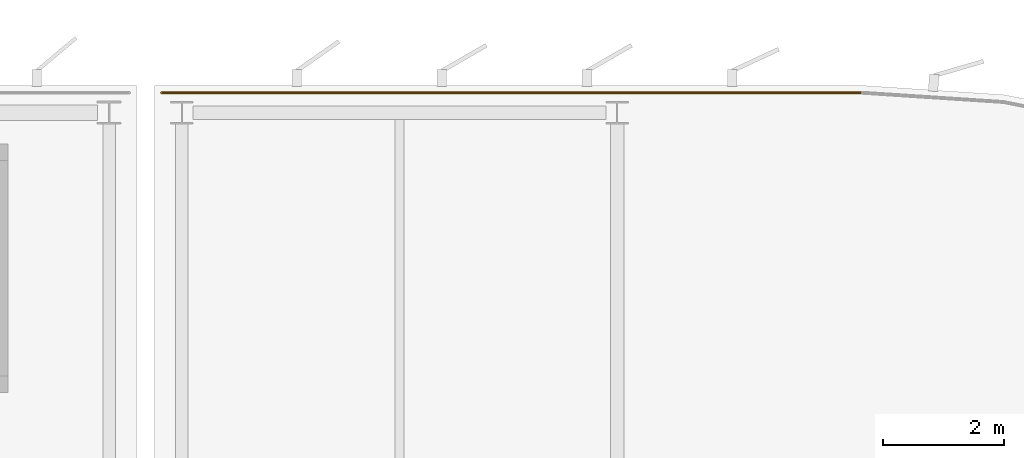
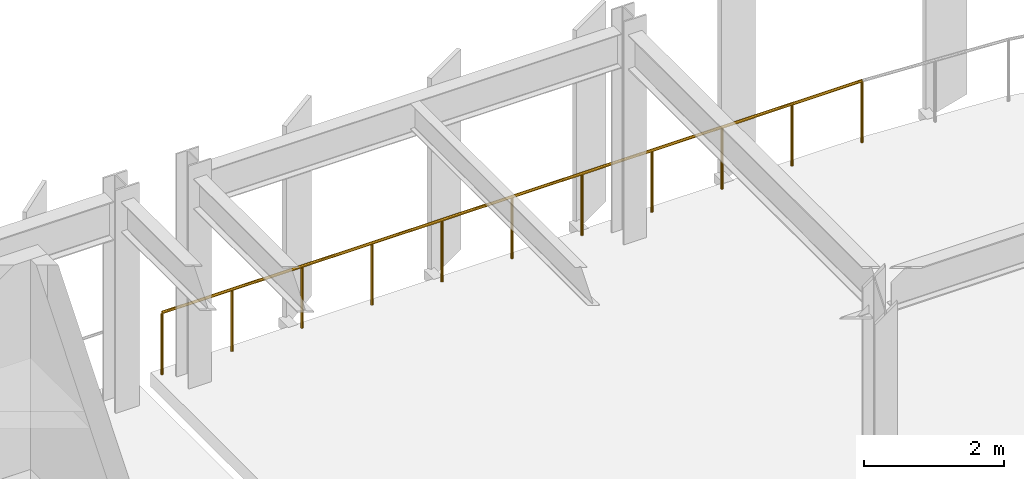
# One storey, part 84 of 93: 1 railing.
"""IFC4 building model written with IfcOpenShell, lengths in metres."""

import ifcopenshell
import ifcopenshell.guid

model = None  # the IFC model being written
_history = None  # IfcOwnerHistory: only IFC2X3 demands one
_inside = {}  # id of a spatial element -> (the spatial element, [elements in it])
_under = {}  # id of a project, library or spatial element -> (it, [spatial elements below it])
_declared = {}  # id of a project -> (the project, [libraries it declares])
_typed = {}  # id of a type object -> (the type object, [elements of that type])
_made_of = {}  # id of a material, layer set ... -> (it, [elements and type objects made of it])


def new_model(schema):
    """Start an empty IFC model of exactly this schema.

    Asked for "IFC4X3", IfcOpenShell would pick the latest addendum, in which some entities
    have other attributes; the version numbers below select the first issue.
    IFC2X3 requires an IfcOwnerHistory on every rooted entity: one is made here for all.
    """
    global model, _history
    if schema == "IFC4X3":
        model = ifcopenshell.file(schema_version=(4, 3, 0, 0))
    else:
        model = ifcopenshell.file(schema=schema)
    _inside.clear()
    _under.clear()
    _declared.clear()
    _typed.clear()
    _made_of.clear()
    _history = None
    if model.schema == "IFC2X3":
        org = make("IfcOrganization", Name="unknown")
        user = make(
            "IfcPersonAndOrganization",
            ThePerson=make("IfcPerson", FamilyName="unknown"),
            TheOrganization=org,
        )
        app = make(
            "IfcApplication",
            ApplicationDeveloper=org,
            Version="unknown",
            ApplicationFullName="unknown",
            ApplicationIdentifier="unknown",
        )
        _history = make(
            "IfcOwnerHistory",
            OwningUser=user,
            OwningApplication=app,
            ChangeAction="ADDED",
            CreationDate=0,
        )
    return model


def make(cls, **values):
    """One entity of the class cls with the attributes given. An attribute that is None is left unset."""
    return model.create_entity(
        cls, **{name: value for name, value in values.items() if value is not None}
    )


def rooted(cls, **values):
    """An entity with a GlobalId (a new one), such as an element, a storey or a relation."""
    return make(cls, GlobalId=ifcopenshell.guid.new(), OwnerHistory=_history, **values)


def si_unit(unit_type, name, prefix=None):
    """IfcSIUnit, for example si_unit("LENGTHUNIT", "METRE", prefix="MILLI")."""
    return make("IfcSIUnit", UnitType=unit_type, Prefix=prefix, Name=name)


def assignment(units):
    """IfcUnitAssignment: the units of a project."""
    return None if units is None else make("IfcUnitAssignment", Units=units)


def point(xyz):
    """IfcCartesianPoint."""
    return None if xyz is None else make("IfcCartesianPoint", Coordinates=xyz)


def direction(xyz):
    """IfcDirection."""
    return None if xyz is None else make("IfcDirection", DirectionRatios=xyz)


def frame(location, z_axis=None, x_axis=None):
    """IfcAxis2Placement3D, a coordinate frame: its origin and axes. An axis left out is left unset."""
    return make(
        "IfcAxis2Placement3D",
        Location=point(location),
        Axis=direction(z_axis),
        RefDirection=direction(x_axis),
    )


def frame_2d(location, x_axis=None):
    """IfcAxis2Placement2D, a coordinate frame in the plane: its origin and x axis."""
    return make(
        "IfcAxis2Placement2D", Location=point(location), RefDirection=direction(x_axis)
    )


def origin():
    """The frame at (0, 0, 0) with its axes left unset."""
    return frame((0.0, 0.0, 0.0))


def origin_2d():
    """The frame at (0, 0) in the plane with its x axis left unset."""
    return frame_2d((0.0, 0.0))


def place(relative_to, where):
    """IfcLocalPlacement: puts the frame where relative to a parent placement (None: the world)."""
    return make(
        "IfcLocalPlacement", PlacementRelTo=relative_to, RelativePlacement=where
    )


def context(
    kind, dimensions, precision=None, world=None, true_north=None, identifier=None
):
    """IfcGeometricRepresentationContext, for example the 3D "Model" context."""
    return make(
        "IfcGeometricRepresentationContext",
        ContextIdentifier=identifier,
        ContextType=kind,
        CoordinateSpaceDimension=dimensions,
        Precision=precision,
        WorldCoordinateSystem=world,
        TrueNorth=true_north,
    )


def subcontext(parent, identifier, kind, view, scale=None):
    """IfcGeometricRepresentationSubContext, for example "Body" below "Model"."""
    return make(
        "IfcGeometricRepresentationSubContext",
        ContextIdentifier=identifier,
        ContextType=kind,
        ParentContext=parent,
        TargetScale=scale,
        TargetView=view,
    )


def project(units=None, contexts=None):
    """IfcProject with its units and contexts."""
    return rooted(
        "IfcProject",
        Name="project",
        RepresentationContexts=contexts,
        UnitsInContext=assignment(units),
    )


def spatial(cls, under=None, at=None, **own):
    """A site, building, storey or space (cls), placed at a placement, below another one or the project."""
    s = rooted(cls, ObjectPlacement=at, **own)
    if under is not None:
        _under.setdefault(under.id(), (under, []))[1].append(s)
    return s


def profile(cls, at=None, kind="AREA", **sizes):
    """A parametric profile (cls). Its sizes go by their IFC names, for example OverallWidth=200.0."""
    return make(cls, ProfileType=kind, Position=at, **sizes)


def circle(**sizes):
    """IfcCircleProfileDef."""
    return profile("IfcCircleProfileDef", **sizes)


def extrude(swept, where, along, depth):
    """IfcExtrudedAreaSolid: the profile swept, set in the frame where, extruded along a direction by depth."""
    return make(
        "IfcExtrudedAreaSolid",
        SweptArea=swept,
        Position=where,
        ExtrudedDirection=direction(along),
        Depth=depth,
    )


def shape(context_of_items, identifier, shape_type, items):
    """IfcShapeRepresentation: the items that make up one representation, for example the "Body"."""
    return make(
        "IfcShapeRepresentation",
        ContextOfItems=context_of_items,
        RepresentationIdentifier=identifier,
        RepresentationType=shape_type,
        Items=items,
    )


def material(Name=None, Category=None):
    """IfcMaterial."""
    return make("IfcMaterial", Name=Name, Category=Category)


def layer(
    of_material, thickness, ventilated=None, Name=None, Category=None, Priority=None
):
    """IfcMaterialLayer: one layer of a wall or slab, of a material (None: an air gap)."""
    return make(
        "IfcMaterialLayer",
        Material=of_material,
        LayerThickness=thickness,
        IsVentilated=ventilated,
        Name=Name,
        Category=Category,
        Priority=Priority,
    )


def layer_set(layers, Name=None):
    """IfcMaterialLayerSet."""
    return make("IfcMaterialLayerSet", MaterialLayers=layers, LayerSetName=Name)


def made_of(thing, what):
    """Note that an element or type object is made of a material, layer set ...; save() writes the relation."""
    if what is not None:
        _made_of.setdefault(what.id(), (what, []))[1].append(thing)
    return thing


def type_object(cls, material=None, **own):
    """A type object (cls), such as IfcWallType, which elements share."""
    return made_of(rooted(cls, **own), material)


def element(
    cls,
    number,
    at=None,
    inside=None,
    cuts=None,
    type_object=None,
    material=None,
    context=None,
    identifier="Body",
    shape_type=None,
    held_by="IfcProductDefinitionShape",
    body=None,
    shapes=None,
    **own,
):
    """One element of the class cls, such as IfcWall. Its Tag is "e" and its number.

    at: its placement. inside: the storey or other place that contains it. cuts: it is an
    opening in that element (IfcRelVoidsElement). A single representation is given by context,
    identifier, shape_type and body (its items); several are given by shapes. held_by: the class
    of the entity that holds the representations. save() writes the other relations.
    """
    e = rooted(cls, Tag="e%d" % number, ObjectPlacement=at, **own)
    if body is not None:
        shapes = [shape(context, identifier, shape_type, body)]
    if shapes is not None:
        e.Representation = make(held_by, Representations=shapes)
    if inside is not None:
        _inside.setdefault(inside.id(), (inside, []))[1].append(e)
    if cuts is not None:
        rooted(
            "IfcRelVoidsElement", RelatingBuildingElement=cuts, RelatedOpeningElement=e
        )
    if type_object is not None:
        _typed.setdefault(type_object.id(), (type_object, []))[1].append(e)
    return made_of(e, material)


def aggregate(whole, parts):
    """IfcRelAggregates: a whole, such as a stair, and the parts it consists of."""
    return rooted("IfcRelAggregates", RelatingObject=whole, RelatedObjects=parts)


def save(model, path):
    """Write the relations noted so far, then the file.

    IfcRelAggregates (storeys below a building ...), IfcRelContainedInSpatialStructure (elements
    in a storey), IfcRelDefinesByType, IfcRelAssociatesMaterial and IfcRelDeclares: one each for
    every whole, place, type object, material and project.
    """
    for whole, parts in _under.values():
        aggregate(whole, parts)
    for where, things in _inside.values():
        rooted(
            "IfcRelContainedInSpatialStructure",
            RelatedElements=things,
            RelatingStructure=where,
        )
    for kind, things in _typed.values():
        rooted("IfcRelDefinesByType", RelatedObjects=things, RelatingType=kind)
    for what, things in _made_of.values():
        rooted("IfcRelAssociatesMaterial", RelatedObjects=things, RelatingMaterial=what)
    for by, libraries in _declared.values():
        rooted("IfcRelDeclares", RelatingContext=by, RelatedDefinitions=libraries)
    model.write(path)


model = new_model("IFC4")

# Units and contexts
model_context = context("Model", 3, precision=1e-05, world=origin(), true_north=direction((0.0, 1.0)))
body_context = subcontext(model_context, "Body", "Model", "MODEL_VIEW")
ifc_project = project(units=[si_unit("LENGTHUNIT", "METRE"), si_unit("AREAUNIT", "SQUARE_METRE"), si_unit("VOLUMEUNIT", "CUBIC_METRE"), si_unit("PLANEANGLEUNIT", "RADIAN"), si_unit("MASSUNIT", "GRAM", prefix="KILO")], contexts=[model_context])

# Site, building, storey
site_placement = place(None, origin())
site = spatial("IfcSite", under=ifc_project, at=site_placement, CompositionType="ELEMENT")
building_placement = place(site_placement, origin())
building = spatial("IfcBuilding", under=site, at=building_placement, Name="Vaelcorin Mobility Hub", CompositionType="ELEMENT")
storey_placement = place(building_placement, frame((0.0, 0.0, 5.39990234375)))
storey = spatial("IfcBuildingStorey", under=building, at=storey_placement, Name="L01", CompositionType="ELEMENT", Elevation=5.39990234375)

# Railing
ifc_material = material(Name="Galvanised structural steel ASTM A36", Category="steel")
ifc_layer = layer(ifc_material, 0.070068359375)
ifc_layer_set = layer_set([ifc_layer], Name="Galvanised structural steel ASTM A36")
railing_type = type_object("IfcRailingType", Name="RL-GUARD-1100", PredefinedType="BALUSTRADE", material=ifc_layer_set)
railing_placement = place(storey_placement, frame((123.27001953125, 120.330078125, 0.0)))
element("IfcRailing", 1, at=railing_placement, inside=storey, type_object=railing_type, Name="L01 Perimeter Guard GR-V2E-L01-01", PredefinedType="BALUSTRADE", context=body_context, shape_type="SweptSolid", body=[
    extrude(circle(Radius=0.02392578125, at=origin_2d()), frame((0.0, 0.0, 1.076171875), z_axis=(1.0, 0.0, 0.0), x_axis=(0.0, 1.0, 0.0)), (0.0, 0.0, 1.0), 11.580078125),
    extrude(circle(Radius=0.02099609375, at=origin_2d()), origin(), (0.0, 0.0, 1.0), 1.052001953125),
    extrude(circle(Radius=0.02099609375, at=origin_2d()), frame((1.157958984375, 0.0, 0.0)), (0.0, 0.0, 1.0), 1.052001953125),
    extrude(circle(Radius=0.02099609375, at=origin_2d()), frame((2.31591796875, 0.0, 0.0)), (0.0, 0.0, 1.0), 1.052001953125),
    extrude(circle(Radius=0.02099609375, at=origin_2d()), frame((3.47412109375, 0.0, 0.0)), (0.0, 0.0, 1.0), 1.052001953125),
    extrude(circle(Radius=0.02099609375, at=origin_2d()), frame((4.632080078125, 0.0, 0.0)), (0.0, 0.0, 1.0), 1.052001953125),
    extrude(circle(Radius=0.02099609375, at=origin_2d()), frame((5.7900390625, 0.0, 0.0)), (0.0, 0.0, 1.0), 1.052001953125),
    extrude(circle(Radius=0.02099609375, at=origin_2d()), frame((6.947998046875, 0.0, 0.0)), (0.0, 0.0, 1.0), 1.052001953125),
    extrude(circle(Radius=0.02099609375, at=origin_2d()), frame((8.10595703125, 0.0, 0.0)), (0.0, 0.0, 1.0), 1.052001953125),
    extrude(circle(Radius=0.02099609375, at=origin_2d()), frame((9.26416015625, 0.0, 0.0)), (0.0, 0.0, 1.0), 1.052001953125),
    extrude(circle(Radius=0.02099609375, at=origin_2d()), frame((10.422119140625, 0.0, 0.0)), (0.0, 0.0, 1.0), 1.052001953125),
    extrude(circle(Radius=0.02099609375, at=origin_2d()), frame((11.580078125, 0.0, 0.0)), (0.0, 0.0, 1.0), 1.052001953125),
])

save(model, "model.ifc")
